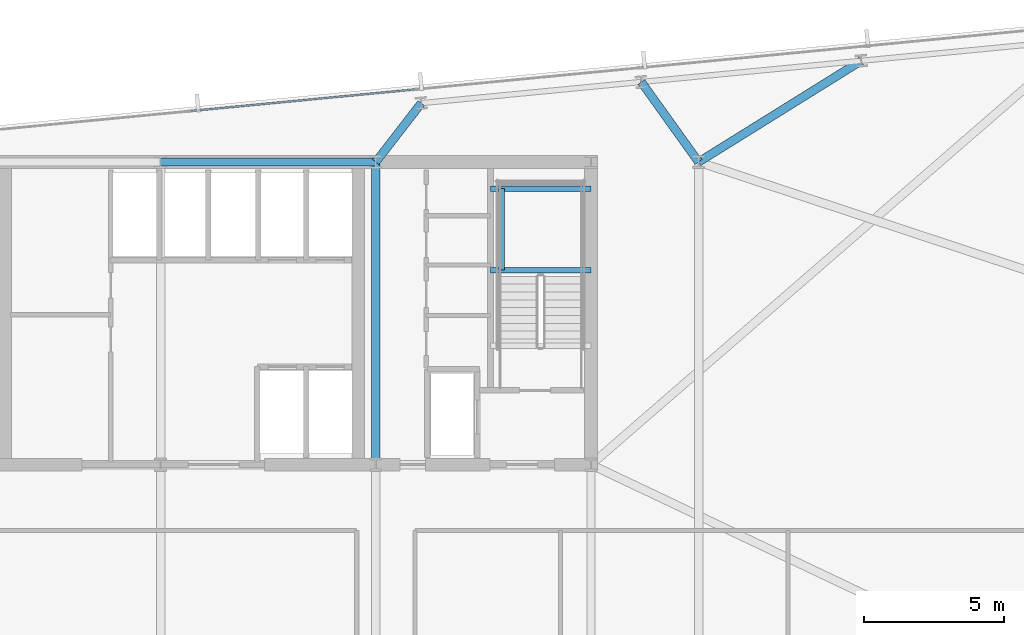
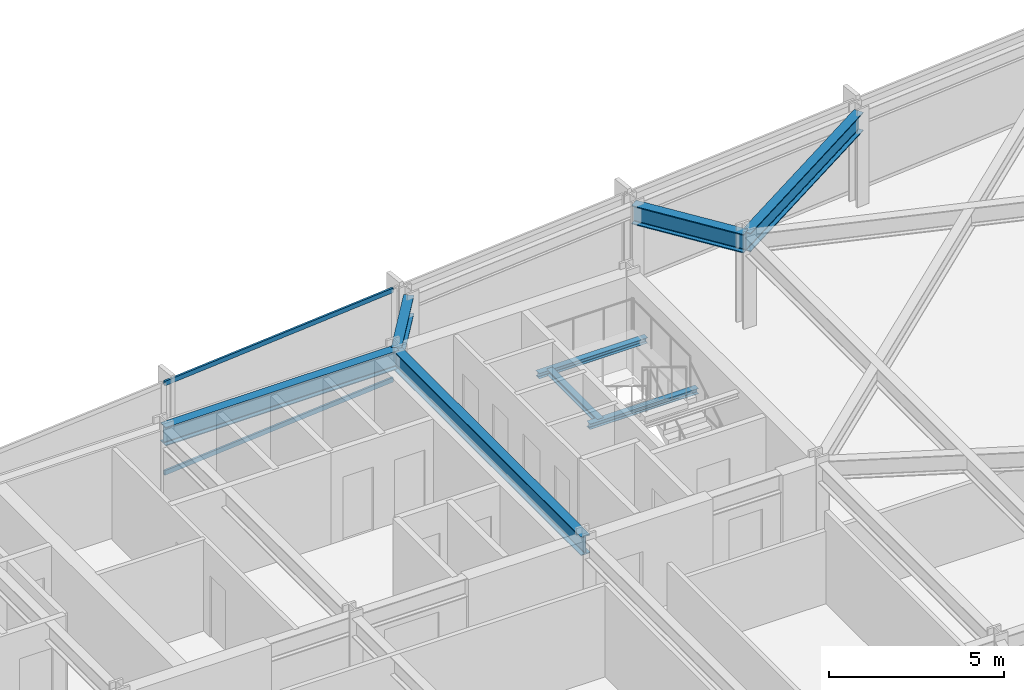
# One storey, part 20 of 32: 8 beams, 2 members, 1 element without a shape of its own.
"""IFC4 building model written with IfcOpenShell, lengths in metres."""

import ifcopenshell
import ifcopenshell.guid

model = None  # the IFC model being written
_history = None  # IfcOwnerHistory: only IFC2X3 demands one
_inside = {}  # id of a spatial element -> (the spatial element, [elements in it])
_under = {}  # id of a project, library or spatial element -> (it, [spatial elements below it])
_declared = {}  # id of a project -> (the project, [libraries it declares])
_typed = {}  # id of a type object -> (the type object, [elements of that type])
_made_of = {}  # id of a material, layer set ... -> (it, [elements and type objects made of it])


def new_model(schema):
    """Start an empty IFC model of exactly this schema.

    Asked for "IFC4X3", IfcOpenShell would pick the latest addendum, in which some entities
    have other attributes; the version numbers below select the first issue.
    IFC2X3 requires an IfcOwnerHistory on every rooted entity: one is made here for all.
    """
    global model, _history
    if schema == "IFC4X3":
        model = ifcopenshell.file(schema_version=(4, 3, 0, 0))
    else:
        model = ifcopenshell.file(schema=schema)
    _inside.clear()
    _under.clear()
    _declared.clear()
    _typed.clear()
    _made_of.clear()
    _history = None
    if model.schema == "IFC2X3":
        org = make("IfcOrganization", Name="unknown")
        user = make(
            "IfcPersonAndOrganization",
            ThePerson=make("IfcPerson", FamilyName="unknown"),
            TheOrganization=org,
        )
        app = make(
            "IfcApplication",
            ApplicationDeveloper=org,
            Version="unknown",
            ApplicationFullName="unknown",
            ApplicationIdentifier="unknown",
        )
        _history = make(
            "IfcOwnerHistory",
            OwningUser=user,
            OwningApplication=app,
            ChangeAction="ADDED",
            CreationDate=0,
        )
    return model


def make(cls, **values):
    """One entity of the class cls with the attributes given. An attribute that is None is left unset."""
    return model.create_entity(
        cls, **{name: value for name, value in values.items() if value is not None}
    )


def rooted(cls, **values):
    """An entity with a GlobalId (a new one), such as an element, a storey or a relation."""
    return make(cls, GlobalId=ifcopenshell.guid.new(), OwnerHistory=_history, **values)


def si_unit(unit_type, name, prefix=None):
    """IfcSIUnit, for example si_unit("LENGTHUNIT", "METRE", prefix="MILLI")."""
    return make("IfcSIUnit", UnitType=unit_type, Prefix=prefix, Name=name)


def assignment(units):
    """IfcUnitAssignment: the units of a project."""
    return None if units is None else make("IfcUnitAssignment", Units=units)


def point(xyz):
    """IfcCartesianPoint."""
    return None if xyz is None else make("IfcCartesianPoint", Coordinates=xyz)


def direction(xyz):
    """IfcDirection."""
    return None if xyz is None else make("IfcDirection", DirectionRatios=xyz)


def frame(location, z_axis=None, x_axis=None):
    """IfcAxis2Placement3D, a coordinate frame: its origin and axes. An axis left out is left unset."""
    return make(
        "IfcAxis2Placement3D",
        Location=point(location),
        Axis=direction(z_axis),
        RefDirection=direction(x_axis),
    )


def frame_2d(location, x_axis=None):
    """IfcAxis2Placement2D, a coordinate frame in the plane: its origin and x axis."""
    return make(
        "IfcAxis2Placement2D", Location=point(location), RefDirection=direction(x_axis)
    )


def origin():
    """The frame at (0, 0, 0) with its axes left unset."""
    return frame((0.0, 0.0, 0.0))


def origin_2d():
    """The frame at (0, 0) in the plane with its x axis left unset."""
    return frame_2d((0.0, 0.0))


def place(relative_to, where):
    """IfcLocalPlacement: puts the frame where relative to a parent placement (None: the world)."""
    return make(
        "IfcLocalPlacement", PlacementRelTo=relative_to, RelativePlacement=where
    )


def context(
    kind, dimensions, precision=None, world=None, true_north=None, identifier=None
):
    """IfcGeometricRepresentationContext, for example the 3D "Model" context."""
    return make(
        "IfcGeometricRepresentationContext",
        ContextIdentifier=identifier,
        ContextType=kind,
        CoordinateSpaceDimension=dimensions,
        Precision=precision,
        WorldCoordinateSystem=world,
        TrueNorth=true_north,
    )


def subcontext(parent, identifier, kind, view, scale=None):
    """IfcGeometricRepresentationSubContext, for example "Body" below "Model"."""
    return make(
        "IfcGeometricRepresentationSubContext",
        ContextIdentifier=identifier,
        ContextType=kind,
        ParentContext=parent,
        TargetScale=scale,
        TargetView=view,
    )


def project(units=None, contexts=None):
    """IfcProject with its units and contexts."""
    return rooted(
        "IfcProject",
        Name="project",
        RepresentationContexts=contexts,
        UnitsInContext=assignment(units),
    )


def spatial(cls, under=None, at=None, **own):
    """A site, building, storey or space (cls), placed at a placement, below another one or the project."""
    s = rooted(cls, ObjectPlacement=at, **own)
    if under is not None:
        _under.setdefault(under.id(), (under, []))[1].append(s)
    return s


def profile(cls, at=None, kind="AREA", **sizes):
    """A parametric profile (cls). Its sizes go by their IFC names, for example OverallWidth=200.0."""
    return make(cls, ProfileType=kind, Position=at, **sizes)


def hollow_rectangle(**sizes):
    """IfcRectangleHollowProfileDef."""
    return profile("IfcRectangleHollowProfileDef", **sizes)


def i_section(**sizes):
    """IfcIShapeProfileDef."""
    return profile("IfcIShapeProfileDef", **sizes)


def extrude(swept, where, along, depth):
    """IfcExtrudedAreaSolid: the profile swept, set in the frame where, extruded along a direction by depth."""
    return make(
        "IfcExtrudedAreaSolid",
        SweptArea=swept,
        Position=where,
        ExtrudedDirection=direction(along),
        Depth=depth,
    )


def shape(context_of_items, identifier, shape_type, items):
    """IfcShapeRepresentation: the items that make up one representation, for example the "Body"."""
    return make(
        "IfcShapeRepresentation",
        ContextOfItems=context_of_items,
        RepresentationIdentifier=identifier,
        RepresentationType=shape_type,
        Items=items,
    )


def material(Name=None, Category=None):
    """IfcMaterial."""
    return make("IfcMaterial", Name=Name, Category=Category)


def material_profile(
    of_material, cross_section, Name=None, Category=None, Priority=None
):
    """IfcMaterialProfile: a cross section and its material."""
    return make(
        "IfcMaterialProfile",
        Name=Name,
        Material=of_material,
        Profile=cross_section,
        Priority=Priority,
        Category=Category,
    )


def profile_set(profiles, Name=None, composite=None):
    """IfcMaterialProfileSet."""
    return make(
        "IfcMaterialProfileSet",
        Name=Name,
        MaterialProfiles=profiles,
        CompositeProfile=composite,
    )


def made_of(thing, what):
    """Note that an element or type object is made of a material, layer set ...; save() writes the relation."""
    if what is not None:
        _made_of.setdefault(what.id(), (what, []))[1].append(thing)
    return thing


def type_object(cls, material=None, **own):
    """A type object (cls), such as IfcWallType, which elements share."""
    return made_of(rooted(cls, **own), material)


def element(
    cls,
    number,
    at=None,
    inside=None,
    cuts=None,
    type_object=None,
    material=None,
    context=None,
    identifier="Body",
    shape_type=None,
    held_by="IfcProductDefinitionShape",
    body=None,
    shapes=None,
    **own,
):
    """One element of the class cls, such as IfcWall. Its Tag is "e" and its number.

    at: its placement. inside: the storey or other place that contains it. cuts: it is an
    opening in that element (IfcRelVoidsElement). A single representation is given by context,
    identifier, shape_type and body (its items); several are given by shapes. held_by: the class
    of the entity that holds the representations. save() writes the other relations.
    """
    e = rooted(cls, Tag="e%d" % number, ObjectPlacement=at, **own)
    if body is not None:
        shapes = [shape(context, identifier, shape_type, body)]
    if shapes is not None:
        e.Representation = make(held_by, Representations=shapes)
    if inside is not None:
        _inside.setdefault(inside.id(), (inside, []))[1].append(e)
    if cuts is not None:
        rooted(
            "IfcRelVoidsElement", RelatingBuildingElement=cuts, RelatedOpeningElement=e
        )
    if type_object is not None:
        _typed.setdefault(type_object.id(), (type_object, []))[1].append(e)
    return made_of(e, material)


def aggregate(whole, parts):
    """IfcRelAggregates: a whole, such as a stair, and the parts it consists of."""
    return rooted("IfcRelAggregates", RelatingObject=whole, RelatedObjects=parts)


def save(model, path):
    """Write the relations noted so far, then the file.

    IfcRelAggregates (storeys below a building ...), IfcRelContainedInSpatialStructure (elements
    in a storey), IfcRelDefinesByType, IfcRelAssociatesMaterial and IfcRelDeclares: one each for
    every whole, place, type object, material and project.
    """
    for whole, parts in _under.values():
        aggregate(whole, parts)
    for where, things in _inside.values():
        rooted(
            "IfcRelContainedInSpatialStructure",
            RelatedElements=things,
            RelatingStructure=where,
        )
    for kind, things in _typed.values():
        rooted("IfcRelDefinesByType", RelatedObjects=things, RelatingType=kind)
    for what, things in _made_of.values():
        rooted("IfcRelAssociatesMaterial", RelatedObjects=things, RelatingMaterial=what)
    for by, libraries in _declared.values():
        rooted("IfcRelDeclares", RelatingContext=by, RelatedDefinitions=libraries)
    model.write(path)


model = new_model("IFC4")

# Units and contexts
model_context = context("Model", 3, precision=1e-05, world=origin(), true_north=direction((0.0, 1.0)))
body_context = subcontext(model_context, "Body", "Model", "MODEL_VIEW")
ifc_project = project(units=[si_unit("LENGTHUNIT", "METRE"), si_unit("AREAUNIT", "SQUARE_METRE"), si_unit("VOLUMEUNIT", "CUBIC_METRE"), si_unit("PLANEANGLEUNIT", "RADIAN"), si_unit("MASSUNIT", "GRAM", prefix="KILO")], contexts=[model_context])

# Site, building, storey
site_placement = place(None, origin())
site = spatial("IfcSite", under=ifc_project, at=site_placement, CompositionType="ELEMENT")
building_placement = place(site_placement, origin())
building = spatial("IfcBuilding", under=site, at=building_placement, Name="Yelkora Congress Tower", CompositionType="ELEMENT")
storey_placement = place(building_placement, frame((0.0, 0.0, 103.300048828125)))
storey = spatial("IfcBuildingStorey", under=building, at=storey_placement, Name="L27", CompositionType="ELEMENT", Elevation=103.300048828125)

# Beams
ifc_material_1 = material(Name="Steel S355J2", Category="steel")
ifc_material_profile_1 = material_profile(ifc_material_1, i_section(OverallWidth=0.300048828125, OverallDepth=0.64990234375, WebThickness=0.01611328125, FlangeThickness=0.031005859375, FilletRadius=0.027099609375, at=origin_2d()), Name="HEB 650")
ifc_profile_set_1 = profile_set([ifc_material_profile_1], Name="Steel S355J2")
beam_type_1 = type_object("IfcBeamType", Name="BM-GIRD-HEB650", PredefinedType="BEAM", material=ifc_profile_set_1)
beam_1_placement = place(storey_placement, frame((38.39990234375, 46.199951171875, 2.85498046875), z_axis=(1.0, 0.0, 0.0), x_axis=(0.0, 1.0, 0.0)))
element("IfcBeam", 1, at=beam_1_placement, inside=storey, type_object=beam_type_1, Name="L27 Core North Girder 4", PredefinedType="BEAM", context=body_context, shape_type="SweptSolid", body=[
    extrude(i_section(OverallWidth=0.300048828125, OverallDepth=0.64990234375, WebThickness=0.01611328125, FlangeThickness=0.031005859375, FilletRadius=0.027099609375, at=origin_2d()), origin(), (0.0, 0.0, 1.0), 7.68017578125),
])
beam_2_placement = place(storey_placement, frame((46.080078125, 35.39990234375, 2.85498046875), z_axis=(0.0, 1.0, 0.0), x_axis=(-1.0, 0.0, 0.0)))
element("IfcBeam", 2, at=beam_2_placement, inside=storey, type_object=beam_type_1, Name="L27 Core Tie Girder MC-S4", PredefinedType="BEAM", context=body_context, shape_type="SweptSolid", body=[
    extrude(i_section(OverallWidth=0.300048828125, OverallDepth=0.64990234375, WebThickness=0.01611328125, FlangeThickness=0.031005859375, FilletRadius=0.027099609375, at=origin_2d()), origin(), (0.0, 0.0, 1.0), 10.800048828125),
])
beam_3_placement = place(storey_placement, frame((47.70458984375, 48.300537109375, 2.85498046875), z_axis=(-0.611761448665, -0.791042306029, 0.0), x_axis=(0.791042306029, -0.611761448665, 0.0)))
element("IfcBeam", 3, at=beam_3_placement, inside=storey, type_object=beam_type_1, Name="L27 Primary Frame Girder N05", PredefinedType="BEAM", context=body_context, shape_type="SweptSolid", body=[
    extrude(i_section(OverallWidth=0.300048828125, OverallDepth=0.64990234375, WebThickness=0.01611328125, FlangeThickness=0.031005859375, FilletRadius=0.027099609375, at=origin_2d()), origin(), (0.0, 0.0, 1.0), 2.655517578125),
])
beam_4_placement = place(storey_placement, frame((55.553955078125, 49.056396484375, 2.85498046875), z_axis=(0.582335305303, -0.81294870207, 0.0), x_axis=(0.81294870207, 0.582335305303, 0.0)))
element("IfcBeam", 4, at=beam_4_placement, inside=storey, type_object=beam_type_1, Name="L27 Primary Frame Girder N06", PredefinedType="BEAM", context=body_context, shape_type="SweptSolid", body=[
    extrude(i_section(OverallWidth=0.300048828125, OverallDepth=0.64990234375, WebThickness=0.01611328125, FlangeThickness=0.031005859375, FilletRadius=0.027099609375, at=origin_2d()), origin(), (0.0, 0.0, 1.0), 3.513671875),
])
beam_5_placement = place(storey_placement, frame((63.4033203125, 49.81201171875, 2.85498046875), z_axis=(-0.848980050527, -0.528424898929, 0.0), x_axis=(0.528424898929, -0.848980050527, 0.0)))
element("IfcBeam", 5, at=beam_5_placement, inside=storey, type_object=beam_type_1, Name="L27 Primary Frame Girder N07", PredefinedType="BEAM", context=body_context, shape_type="SweptSolid", body=[
    extrude(i_section(OverallWidth=0.300048828125, OverallDepth=0.64990234375, WebThickness=0.01611328125, FlangeThickness=0.031005859375, FilletRadius=0.027099609375, at=origin_2d()), origin(), (0.0, 0.0, 1.0), 6.83544921875),
])
ifc_material_profile_2 = material_profile(ifc_material_1, i_section(OverallWidth=0.199951171875, OverallDepth=0.18994140625, WebThickness=0.006591796875, FlangeThickness=0.010009765625, FilletRadius=0.01806640625, at=origin_2d()), Name="HEA 200")
ifc_profile_set_2 = profile_set([ifc_material_profile_2], Name="Steel S355J2")
beam_type_2 = type_object("IfcBeamType", Name="BM-LAND-HEA200", PredefinedType="BEAM", material=ifc_profile_set_2)
for number, where, z_axis, x_axis, name in (
    (6, (50.179931640625, 42.340087890625, 1.384521484375), (1.0, 0.0, 0.0), (0.0, 1.0, 0.0), "ST-02 L27 Landing Header Beam 1S"),
    (7, (50.179931640625, 45.25, 1.384521484375), (1.0, 0.0, 0.0), (0.0, 1.0, 0.0), "ST-02 L27 Landing Header Beam 1N"),
):
    element("IfcBeam", number, at=place(storey_placement, frame(where, z_axis=z_axis, x_axis=x_axis)), inside=storey, type_object=beam_type_2, Name=name, PredefinedType="BEAM", context=body_context, shape_type="SweptSolid", body=[
        extrude(i_section(OverallWidth=0.199951171875, OverallDepth=0.18994140625, WebThickness=0.006591796875, FlangeThickness=0.010009765625, FilletRadius=0.01806640625, at=origin_2d()), origin(), (0.0, 0.0, 1.0), 3.580078125),
    ])
beam_6_placement = place(storey_placement, frame((50.580078125, 42.340087890625, 1.384521484375), z_axis=(0.0, 1.0, 0.0), x_axis=(-1.0, 0.0, 0.0)))
element("IfcBeam", 8, at=beam_6_placement, inside=storey, type_object=beam_type_2, Name="ST-02 L27 Landing Trimmer Beam 1M", PredefinedType="BEAM", context=body_context, shape_type="SweptSolid", body=[
    extrude(i_section(OverallWidth=0.199951171875, OverallDepth=0.18994140625, WebThickness=0.006591796875, FlangeThickness=0.010009765625, FilletRadius=0.01806640625, at=origin_2d()), origin(), (0.0, 0.0, 1.0), 2.909912109375),
])

# Curtain wall, members
ifc_material_2 = material(Name="Anodised aluminium and insulated glass", Category="aluminium")
curtain_wall_type = type_object("IfcCurtainWallType", Name="CW-SYS-B2", PredefinedType="NOTDEFINED", material=ifc_material_2)
curtain_wall_placement = place(storey_placement, origin())
curtain_wall = element("IfcCurtainWall", 9, at=curtain_wall_placement, inside=storey, type_object=curtain_wall_type, Name="L27 Unitised Curtain Wall 10 (3)", PredefinedType="NOTDEFINED")
ifc_material_3 = material(Name="Anodised aluminium 6063-T6", Category="aluminium")
ifc_material_profile_3 = material_profile(ifc_material_3, hollow_rectangle(XDim=0.06494140625, YDim=0.159912109375, WallThickness=0.00390625, at=origin_2d()), Name="ALU 65x160x4")
ifc_profile_set_3 = profile_set([ifc_material_profile_3], Name="Anodised aluminium 6063-T6")
member_type = type_object("IfcMemberType", Name="MEM-TR-B2", PredefinedType="USERDEFINED", material=ifc_profile_set_3)
member_1_placement = place(storey_placement, frame((39.48681640625, 48.021728515625, 0.032470703125), z_axis=(0.995397513894, 0.095832089266, 0.0), x_axis=(-0.095832089266, 0.995397513894, 0.0)))
member_1 = element("IfcMember", 10, at=member_1_placement, type_object=member_type, Name="CW-B2 transom 3.1", ObjectType="TRANSOM", PredefinedType="USERDEFINED", context=body_context, shape_type="SweptSolid", body=[
    extrude(hollow_rectangle(XDim=0.06494140625, YDim=0.159912109375, WallThickness=0.00390625, at=origin_2d()), origin(), (0.0, 0.0, 1.0), 8.007080078125),
])
member_2_placement = place(storey_placement, frame((39.48681640625, 48.021728515625, 3.1474609375), z_axis=(0.995397513894, 0.095832089266, 0.0), x_axis=(-0.095832089266, 0.995397513894, 0.0)))
member_2 = element("IfcMember", 11, at=member_2_placement, type_object=member_type, Name="CW-B2 transom 3.2", ObjectType="TRANSOM", PredefinedType="USERDEFINED", context=body_context, shape_type="SweptSolid", body=[
    extrude(hollow_rectangle(XDim=0.06494140625, YDim=0.159912109375, WallThickness=0.00390625, at=origin_2d()), origin(), (0.0, 0.0, 1.0), 8.007080078125),
])
aggregate(curtain_wall, [member_1, member_2])

save(model, "model.ifc")
